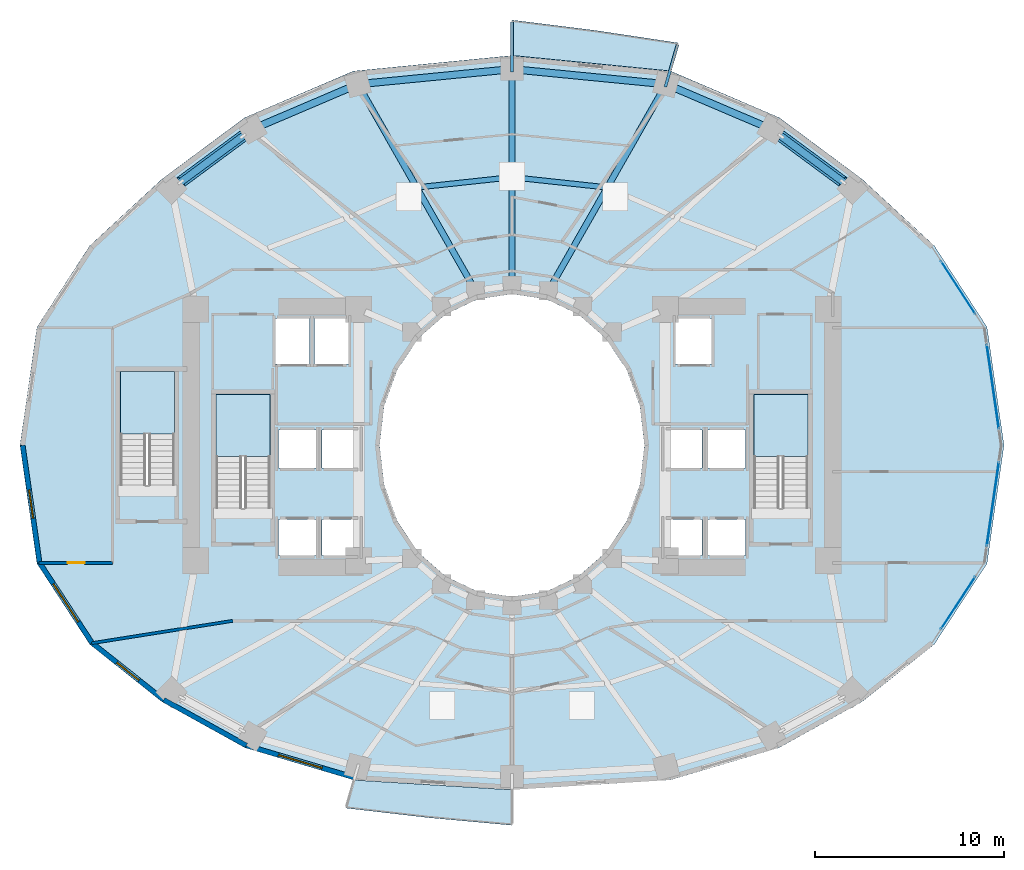
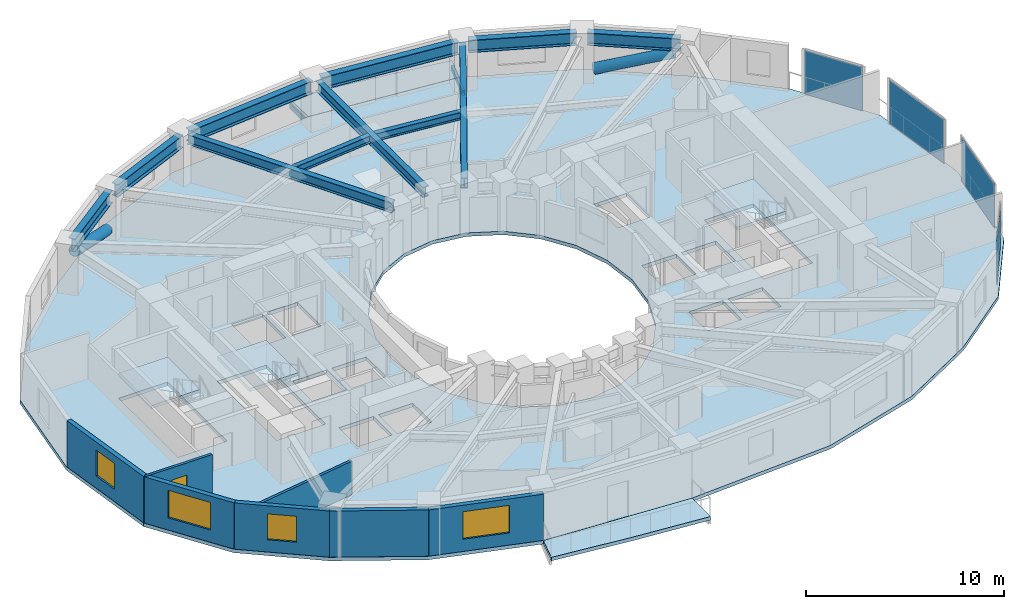
# One storey, part 6 of 14: 13 beams, 7 walls, 6 slabs, 4 plates, 4 windows, 2 members, 1 door, 5 openings, 7 elements without a shape of their own.
"""IFC4 building model written with IfcOpenShell, lengths in metres."""

from ifc_helpers import new_model, si_unit, direction, frame, frame_2d, origin, origin_2d, place, context, subcontext, project, spatial, polyline, rectangle, hollow_rectangle, hollow_circle, i_section, outline, extrude, material, layer, layer_set, material_profile, profile_set, type_object, element, fill, aggregate, save


model = new_model("IFC4")

# Units and contexts
model_context = context("Model", 3, precision=1e-05, world=origin(), true_north=direction((0.0, 1.0)))
body_context = subcontext(model_context, "Body", "Model", "MODEL_VIEW")
ifc_project = project(units=[si_unit("LENGTHUNIT", "METRE"), si_unit("AREAUNIT", "SQUARE_METRE"), si_unit("VOLUMEUNIT", "CUBIC_METRE"), si_unit("PLANEANGLEUNIT", "RADIAN"), si_unit("MASSUNIT", "GRAM", prefix="KILO")], contexts=[model_context])

# Site, building, storey
site_placement = place(None, origin())
site = spatial("IfcSite", under=ifc_project, at=site_placement, CompositionType="ELEMENT")
building_placement = place(site_placement, origin())
building = spatial("IfcBuilding", under=site, at=building_placement, Name="Solvane Sanctuary Tower", CompositionType="ELEMENT")
storey_placement = place(building_placement, frame((0.0, 0.0, 40.0)))
storey = spatial("IfcBuildingStorey", under=building, at=storey_placement, Name="L11", CompositionType="ELEMENT", Elevation=40.0)

# Beams
ifc_material_1 = material(Name="Steel ASTM A500 Grade C", Category="steel")
ifc_material_profile_1 = material_profile(ifc_material_1, hollow_rectangle(XDim=0.14990234375, YDim=0.300048828125, WallThickness=0.010009765625, at=origin_2d()), Name="HSS300X150X10")
ifc_profile_set_1 = profile_set([ifc_material_profile_1], Name="Steel ASTM A500 Grade C")
beam_type_1 = type_object("IfcBeamType", Name="Beam B-BALC-BRK HSS300X150X10", PredefinedType="BEAM", material=ifc_profile_set_1)
beam_1_placement = place(storey_placement, frame((40.103271484375, 41.939697265625, -0.3720703125), z_axis=(0.277479359198, 0.960731598949, 0.0), x_axis=(-0.960731598949, 0.277479359198, 0.0)))
element("IfcBeam", 1, at=beam_1_placement, inside=storey, type_object=beam_type_1, Name="L11 Balcony Bracket NC-1", PredefinedType="BEAM", context=body_context, shape_type="SweptSolid", body=[
    extrude(hollow_rectangle(XDim=0.14990234375, YDim=0.300048828125, WallThickness=0.010009765625, at=origin_2d()), origin(), (0.0, 0.0, 1.0), 2.325439453125),
])
beam_2_placement = place(storey_placement, frame((32.0, 42.72998046875, -0.3720703125), z_axis=(0.0, 1.0, 0.0), x_axis=(-1.0, 0.0, 0.0)))
element("IfcBeam", 2, at=beam_2_placement, inside=storey, type_object=beam_type_1, Name="L11 Balcony Bracket NC-2", PredefinedType="BEAM", context=body_context, shape_type="SweptSolid", body=[
    extrude(hollow_rectangle(XDim=0.14990234375, YDim=0.300048828125, WallThickness=0.010009765625, at=origin_2d()), origin(), (0.0, 0.0, 1.0), 2.64794921875),
])
ifc_material_2 = material(Name="Steel ASTM A992 Grade 50", Category="steel")
ifc_material_profile_2 = material_profile(ifc_material_2, i_section(OverallWidth=0.323974609375, OverallDepth=0.611083984375, WebThickness=0.0126953125, FlangeThickness=0.01904296875, FilletRadius=0.01611328125, at=origin_2d()), Name="W24X104")
ifc_profile_set_2 = profile_set([ifc_material_profile_2], Name="Steel ASTM A992 Grade 50")
beam_type_2 = type_object("IfcBeamType", Name="Beam B-RAD-Z1 W24X104", PredefinedType="BEAM", material=ifc_profile_set_2)
beam_3_placement = place(storey_placement, frame((34.0693359375, 31.4150390625, 2.572509765625), z_axis=(0.494862949167, 0.868971036078, 0.0), x_axis=(-0.868971036078, 0.494862949167, 0.0)))
element("IfcBeam", 3, at=beam_3_placement, inside=storey, type_object=beam_type_2, Name="L11 Radial Composite Floor Beam 03", PredefinedType="BEAM", context=body_context, shape_type="SweptSolid", body=[
    extrude(i_section(OverallWidth=0.323974609375, OverallDepth=0.611083984375, WebThickness=0.0126953125, FlangeThickness=0.01904296875, FilletRadius=0.01611328125, at=origin_2d()), origin(), (0.0, 0.0, 1.0), 11.997314453125),
])
beam_4_placement = place(storey_placement, frame((32.0, 31.739990234375, 2.572509765625), z_axis=(0.0, 1.0, 0.0), x_axis=(-1.0, 0.0, 0.0)))
element("IfcBeam", 4, at=beam_4_placement, inside=storey, type_object=beam_type_2, Name="L11 Radial Composite Floor Beam 04", PredefinedType="BEAM", context=body_context, shape_type="SweptSolid", body=[
    extrude(i_section(OverallWidth=0.323974609375, OverallDepth=0.611083984375, WebThickness=0.0126953125, FlangeThickness=0.01904296875, FilletRadius=0.01611328125, at=origin_2d()), origin(), (0.0, 0.0, 1.0), 10.860107421875),
])
beam_5_placement = place(storey_placement, frame((29.9306640625, 31.4150390625, 2.572509765625), z_axis=(-0.494862949167, 0.868971036078, 0.0), x_axis=(-0.868971036078, -0.494862949167, 0.0)))
element("IfcBeam", 5, at=beam_5_placement, inside=storey, type_object=beam_type_2, Name="L11 Radial Composite Floor Beam 05", PredefinedType="BEAM", context=body_context, shape_type="SweptSolid", body=[
    extrude(i_section(OverallWidth=0.323974609375, OverallDepth=0.611083984375, WebThickness=0.0126953125, FlangeThickness=0.01904296875, FilletRadius=0.01611328125, at=origin_2d()), origin(), (0.0, 0.0, 1.0), 11.997314453125),
])
ifc_material_profile_3 = material_profile(ifc_material_2, i_section(OverallWidth=0.280029296875, OverallDepth=0.462890625, WebThickness=0.0107421875, FlangeThickness=0.017333984375, FilletRadius=0.013916015625, at=origin_2d()), Name="W18X76")
ifc_profile_set_3 = profile_set([ifc_material_profile_3], Name="Steel ASTM A992 Grade 50")
beam_type_3 = type_object("IfcBeamType", Name="Beam B-SEC-JOIST W18X76", PredefinedType="JOIST", material=ifc_profile_set_3)
for number, where, z_axis, x_axis, name in (
    (6, (27.118408203125, 36.64453125, 2.646484375), (0.994253832067, 0.107048201386, 0.0), (-0.107048201386, 0.994253832067, 0.0), "L11 Secondary Circumferential Joist 05-04"),
    (7, (32.156005859375, 37.1533203125, 2.646484375), (0.994253832067, -0.107048201386, 0.0), (0.107048201386, 0.994253832067, 0.0), "L11 Secondary Circumferential Joist 04-03"),
):
    element("IfcBeam", number, at=place(storey_placement, frame(where, z_axis=z_axis, x_axis=x_axis)), inside=storey, type_object=beam_type_3, Name=name, PredefinedType="JOIST", context=body_context, shape_type="SweptSolid", body=[
        extrude(i_section(OverallWidth=0.280029296875, OverallDepth=0.462890625, WebThickness=0.0107421875, FlangeThickness=0.017333984375, FilletRadius=0.013916015625, at=origin_2d()), origin(), (0.0, 0.0, 1.0), 4.7529296875),
    ])
ifc_material_profile_4 = material_profile(ifc_material_2, i_section(OverallWidth=0.382080078125, OverallDepth=0.779052734375, WebThickness=0.01806640625, FlangeThickness=0.030029296875, FilletRadius=0.02001953125, at=origin_2d()), Name="W30X191")
ifc_profile_set_4 = profile_set([ifc_material_profile_4], Name="Steel ASTM A992 Grade 50")
beam_type_4 = type_object("IfcBeamType", Name="Beam B-SPAND-Z1 W30X191", PredefinedType="SPANDREL", material=ifc_profile_set_4)
beam_6_placement = place(storey_placement, frame((14.2333984375, 36.719970703125, 2.488525390625), z_axis=(0.804334467125, 0.594176796076, 0.0), x_axis=(-0.594176796076, 0.804334467125, 0.0)))
element("IfcBeam", 8, at=beam_6_placement, inside=storey, type_object=beam_type_4, Name="L11 Perimeter Spandrel Beam TC07-TC06", PredefinedType="SPANDREL", context=body_context, shape_type="SweptSolid", body=[
    extrude(i_section(OverallWidth=0.382080078125, OverallDepth=0.779052734375, WebThickness=0.01806640625, FlangeThickness=0.030029296875, FilletRadius=0.02001953125, at=origin_2d()), origin(), (0.0, 0.0, 1.0), 4.7421875),
])
beam_7_placement = place(storey_placement, frame((18.530517578125, 39.81396484375, 2.488525390625), z_axis=(0.919906751835, 0.392137179988, 0.0), x_axis=(-0.392137179988, 0.919906751835, 0.0)))
element("IfcBeam", 9, at=beam_7_placement, inside=storey, type_object=beam_type_4, Name="L11 Perimeter Spandrel Beam TC06-TC05", PredefinedType="SPANDREL", context=body_context, shape_type="SweptSolid", body=[
    extrude(i_section(OverallWidth=0.382080078125, OverallDepth=0.779052734375, WebThickness=0.01806640625, FlangeThickness=0.030029296875, FilletRadius=0.02001953125, at=origin_2d()), origin(), (0.0, 0.0, 1.0), 5.508056640625),
])
for number, where, z_axis, x_axis, name in (
    (10, (24.1337890625, 42.11083984375, 2.488525390625), (0.995252945064, 0.097322018793, 0.0), (-0.097322018793, 0.995252945064, 0.0), "L11 Perimeter Spandrel Beam TC05-TC04"),
    (11, (32.27880859375, 42.852783203125, 2.488525390625), (0.995252945064, -0.097322018793, 0.0), (0.097322018793, 0.995252945064, 0.0), "L11 Perimeter Spandrel Beam TC04-TC03"),
):
    element("IfcBeam", number, at=place(storey_placement, frame(where, z_axis=z_axis, x_axis=x_axis)), inside=storey, type_object=beam_type_4, Name=name, PredefinedType="SPANDREL", context=body_context, shape_type="SweptSolid", body=[
        extrude(i_section(OverallWidth=0.382080078125, OverallDepth=0.779052734375, WebThickness=0.01806640625, FlangeThickness=0.030029296875, FilletRadius=0.02001953125, at=origin_2d()), origin(), (0.0, 0.0, 1.0), 7.62353515625),
    ])
beam_8_placement = place(storey_placement, frame((40.402587890625, 41.973876953125, 2.488525390625), z_axis=(0.919906751835, -0.392137179988, 0.0), x_axis=(0.392137179988, 0.919906751835, 0.0)))
element("IfcBeam", 12, at=beam_8_placement, inside=storey, type_object=beam_type_4, Name="L11 Perimeter Spandrel Beam TC03-TC02", PredefinedType="SPANDREL", context=body_context, shape_type="SweptSolid", body=[
    extrude(i_section(OverallWidth=0.382080078125, OverallDepth=0.779052734375, WebThickness=0.01806640625, FlangeThickness=0.030029296875, FilletRadius=0.02001953125, at=origin_2d()), origin(), (0.0, 0.0, 1.0), 5.508056640625),
])
beam_9_placement = place(storey_placement, frame((45.952392578125, 39.53759765625, 2.488525390625), z_axis=(0.804334467125, -0.594176796076, 0.0), x_axis=(0.594176796076, 0.804334467125, 0.0)))
element("IfcBeam", 13, at=beam_9_placement, inside=storey, type_object=beam_type_4, Name="L11 Perimeter Spandrel Beam TC02-TC01", PredefinedType="SPANDREL", context=body_context, shape_type="SweptSolid", body=[
    extrude(i_section(OverallWidth=0.382080078125, OverallDepth=0.779052734375, WebThickness=0.01806640625, FlangeThickness=0.030029296875, FilletRadius=0.02001953125, at=origin_2d()), origin(), (0.0, 0.0, 1.0), 4.7421875),
])

# Members
ifc_material_profile_5 = material_profile(ifc_material_2, hollow_circle(Radius=0.304931640625, WallThickness=0.01611328125, at=origin_2d()), Name="CHS610X16")
ifc_profile_set_5 = profile_set([ifc_material_profile_5], Name="Steel ASTM A992 Grade 50")
member_type = type_object("IfcMemberType", Name="Member M-TUBE-Z1 CHS610X16", PredefinedType="BRACE", material=ifc_profile_set_5)
for number, where, z_axis, x_axis, name in (
    (14, (46.220458984375, 39.339599609375, 0.578857421875), (0.765137923591, -0.565199520065, 0.308404702302), (0.594161791503, 0.804345551065, 0.0), "L11 Perimeter Braced-Tube Diagonal NE"),
    (15, (17.779541015625, 39.339599609375, 0.578857421875), (-0.765137923591, -0.565199520065, 0.308404702302), (0.594161791503, -0.804345551065, 0.0), "L11 Perimeter Braced-Tube Diagonal NW"),
):
    element("IfcMember", number, at=place(storey_placement, frame(where, z_axis=z_axis, x_axis=x_axis)), inside=storey, type_object=member_type, Name=name, PredefinedType="BRACE", context=body_context, shape_type="SweptSolid", body=[
        extrude(hollow_circle(Radius=0.304931640625, WallThickness=0.01611328125, at=origin_2d()), origin(), (0.0, 0.0, 1.0), 4.281005859375),
    ])

# Curtain wall, plate
ifc_material_3 = material(Name="Anodised Aluminium 6063-T6", Category="aluminium")
ifc_layer_1 = layer(ifc_material_3, 0.2099609375, Name="Anodised Aluminium 6063-T6")
ifc_layer_set_1 = layer_set([ifc_layer_1], Name="Anodised Aluminium 6063-T6")
curtain_wall_type = type_object("IfcCurtainWallType", Name="Curtain Wall CW-PORTAL", PredefinedType="NOTDEFINED", material=ifc_layer_set_1)
curtain_wall_1_placement = place(storey_placement, origin())
curtain_wall_1 = element("IfcCurtainWall", 16, at=curtain_wall_1_placement, inside=storey, type_object=curtain_wall_type, Name="L11 CW-PORTAL Facade Run 00", PredefinedType="NOTDEFINED")
ifc_material_4 = material(Name="Dark Ceramic-Fritted Low-E Glass", Category="glass")
ifc_layer_2 = layer(ifc_material_4, 0.031982421875, Name="Dark Ceramic-Fritted Low-E Glass")
ifc_layer_set_2 = layer_set([ifc_layer_2], Name="Dark Ceramic-Fritted Low-E Glass")
plate_type = type_object("IfcPlateType", Name="Plate PN-FRIT-VIS", PredefinedType="CURTAIN_PANEL", material=ifc_layer_set_2)
plate_1_placement = place(storey_placement, frame((57.413330078125, 26.1025390625, 0.06494140625), z_axis=(0.0, 0.0, 1.0), x_axis=(-0.142503929979, 0.989794236162, 0.0)))
plate_1 = element("IfcPlate", 17, at=plate_1_placement, type_object=plate_type, Name="CW-PORTAL panel 1.1", PredefinedType="CURTAIN_PANEL", context=body_context, shape_type="SweptSolid", body=[
    extrude(rectangle(XDim=4.479248046875, YDim=0.031982421875, at=origin_2d()), origin(), (0.0, 0.0, 1.0), 2.7099609375),
])
aggregate(curtain_wall_1, [plate_1])

curtain_wall_2_placement = place(storey_placement, origin())
curtain_wall_2 = element("IfcCurtainWall", 18, at=curtain_wall_2_placement, inside=storey, type_object=curtain_wall_type, Name="L11 CW-PORTAL Facade Run 01", PredefinedType="NOTDEFINED")
plate_2_placement = place(storey_placement, frame((55.580078125, 31.34033203125, 0.06494140625), z_axis=(0.0, 0.0, 1.0), x_axis=(-0.544543243911, 0.838732767639, 0.0)))
plate_2 = element("IfcPlate", 19, at=plate_2_placement, type_object=plate_type, Name="CW-PORTAL panel 1.1", PredefinedType="CURTAIN_PANEL", context=body_context, shape_type="SweptSolid", body=[
    extrude(rectangle(XDim=3.301513671875, YDim=0.031982421875, at=origin_2d()), origin(), (0.0, 0.0, 1.0), 2.7099609375),
])
aggregate(curtain_wall_2, [plate_2])

curtain_wall_3_placement = place(storey_placement, origin())
curtain_wall_3 = element("IfcCurtainWall", 20, at=curtain_wall_3_placement, inside=storey, type_object=curtain_wall_type, Name="L11 CW-PORTAL Facade Run 22", PredefinedType="NOTDEFINED")
plate_3_placement = place(storey_placement, frame((55.580078125, 14.6767578125, 0.06494140625), z_axis=(0.0, 0.0, 1.0), x_axis=(0.547701943571, 0.836673521159, 0.0)))
plate_3 = element("IfcPlate", 21, at=plate_3_placement, type_object=plate_type, Name="CW-PORTAL panel 1.1", PredefinedType="CURTAIN_PANEL", context=body_context, shape_type="SweptSolid", body=[
    extrude(rectangle(XDim=3.2724609375, YDim=0.031982421875, at=origin_2d()), origin(), (0.0, 0.0, 1.0), 2.7099609375),
])
aggregate(curtain_wall_3, [plate_3])

curtain_wall_4_placement = place(storey_placement, origin())
curtain_wall_4 = element("IfcCurtainWall", 22, at=curtain_wall_4_placement, inside=storey, type_object=curtain_wall_type, Name="L11 CW-PORTAL Facade Run 23", PredefinedType="NOTDEFINED")
plate_4_placement = place(storey_placement, frame((57.413330078125, 19.8974609375, 0.06494140625), z_axis=(0.0, 0.0, 1.0), x_axis=(0.142503929979, 0.989794236162, 0.0)))
plate_4 = element("IfcPlate", 23, at=plate_4_placement, type_object=plate_type, Name="CW-PORTAL panel 1.1", PredefinedType="CURTAIN_PANEL", context=body_context, shape_type="SweptSolid", body=[
    extrude(rectangle(XDim=4.479248046875, YDim=0.031982421875, at=origin_2d()), origin(), (0.0, 0.0, 1.0), 2.7099609375),
])
aggregate(curtain_wall_4, [plate_4])

# Slabs
ifc_material_5 = material(Name="Precast concrete C40/50", Category="concrete")
ifc_layer_3 = layer(ifc_material_5, 0.219970703125, Name="Precast concrete C40/50")
ifc_layer_set_3 = layer_set([ifc_layer_3], Name="Precast concrete C40/50")
slab_type_1 = type_object("IfcSlabType", Name="Slab SL-BALC-200", PredefinedType="FLOOR", material=ifc_layer_set_3)
slab_1_placement = place(storey_placement, frame((0.0, 0.0, -0.219970703125)))
element("IfcSlab", 24, at=slab_1_placement, inside=storey, type_object=slab_type_1, Name="L11 Wave Balcony Slab NC", PredefinedType="FLOOR", context=body_context, shape_type="SweptSolid", body=[
    extrude(outline(polyline([(40.7763671875, 44.27001953125), (36.4169921875, 44.925537109375), (32.0, 45.47802734375), (32.00048828125, 43.60400390625), (40.377197265625, 42.782958984375), (40.7763671875, 44.27001953125)])), origin(), (0.0, 0.0, 1.0), 0.219970703125),
])
slab_2_placement = place(storey_placement, frame((0.0, 0.0, -0.219970703125)))
element("IfcSlab", 25, at=slab_2_placement, inside=storey, type_object=slab_type_1, Name="L11 Wave Balcony Slab SC", PredefinedType="FLOOR", context=body_context, shape_type="SweptSolid", body=[
    extrude(outline(polyline([(23.2236328125, 3.828369140625), (27.5830078125, 3.323486328125), (32.0, 2.922119140625), (31.999755859375, 4.7958984375), (23.623046875, 5.3154296875), (23.2236328125, 3.828369140625)])), origin(), (0.0, 0.0, 1.0), 0.219970703125),
])

# Stair, slab
ifc_material_6 = material(Name="Concrete C45/55", Category="concrete")
stair_type = type_object("IfcStairType", Name="Stair ST-TOW", PredefinedType="HALF_TURN_STAIR", material=ifc_material_6)
stair_1_placement = place(storey_placement, origin())
stair_1 = element("IfcStair", 26, at=stair_1_placement, inside=storey, type_object=stair_type, Name="L11 Exit Stair ST-1 West Core", PredefinedType="HALF_TURN_STAIR")
ifc_layer_4 = layer(ifc_material_6, 0.199951171875, Name="Concrete C45/55")
ifc_layer_set_4 = layer_set([ifc_layer_4], Name="Concrete C45/55")
slab_type_2 = type_object("IfcSlabType", Name="Slab SL-LAND-180", PredefinedType="LANDING", material=ifc_layer_set_4)
slab_3_placement = place(storey_placement, frame((0.0, 0.0, 1.35009765625)))
slab_3 = element("IfcSlab", 27, at=slab_3_placement, type_object=slab_type_2, Name="ST-1 landing 1", PredefinedType="LANDING", context=body_context, shape_type="SweptSolid", body=[
    extrude(outline(polyline([(19.219970703125, 22.39990234375), (19.219970703125, 25.699951171875), (16.360107421875, 25.699951171875), (16.360107421875, 22.39990234375), (19.219970703125, 22.39990234375)])), origin(), (0.0, 0.0, 1.0), 0.199951171875),
])
aggregate(stair_1, [slab_3])

stair_2_placement = place(storey_placement, origin())
stair_2 = element("IfcStair", 28, at=stair_2_placement, inside=storey, type_object=stair_type, Name="L11 Exit Stair ST-2 East Core", PredefinedType="HALF_TURN_STAIR")
slab_4_placement = place(storey_placement, frame((0.0, 0.0, 1.35009765625)))
slab_4 = element("IfcSlab", 29, at=slab_4_placement, type_object=slab_type_2, Name="ST-2 landing 1", PredefinedType="LANDING", context=body_context, shape_type="SweptSolid", body=[
    extrude(outline(polyline([(47.639892578125, 22.39990234375), (47.639892578125, 25.699951171875), (44.780029296875, 25.699951171875), (44.780029296875, 22.39990234375), (47.639892578125, 22.39990234375)])), origin(), (0.0, 0.0, 1.0), 0.199951171875),
])
aggregate(stair_2, [slab_4])

stair_3_placement = place(storey_placement, origin())
stair_3 = element("IfcStair", 30, at=stair_3_placement, inside=storey, type_object=stair_type, Name="L11 Exit Stair ST-3 Pilgrim Tower Stair", PredefinedType="HALF_TURN_STAIR")
slab_5_placement = place(storey_placement, frame((0.0, 0.0, 1.35009765625)))
slab_5 = element("IfcSlab", 31, at=slab_5_placement, type_object=slab_type_2, Name="ST-3 landing 1", PredefinedType="LANDING", context=body_context, shape_type="SweptSolid", body=[
    extrude(outline(polyline([(14.159912109375, 23.60009765625), (14.159912109375, 26.89990234375), (11.300048828125, 26.89990234375), (11.300048828125, 23.60009765625), (14.159912109375, 23.60009765625)])), origin(), (0.0, 0.0, 1.0), 0.199951171875),
])
aggregate(stair_3, [slab_5])

# Slab
ifc_layer_5 = layer(ifc_material_6, 0.219970703125, Name="Concrete C45/55")
ifc_layer_set_5 = layer_set([ifc_layer_5], Name="Concrete C45/55")
slab_type_3 = type_object("IfcSlabType", Name="Slab SL-TOW-220", PredefinedType="FLOOR", material=ifc_layer_set_5)
slab_6_placement = place(storey_placement, frame((0.0, 0.0, -0.219970703125)))
element("IfcSlab", 32, at=slab_6_placement, inside=storey, type_object=slab_type_3, Name="L11 Primary Structural Slab", PredefinedType="FLOOR", context=body_context, shape_type="SweptSolid", body=[
    extrude(outline(polyline([(58.0, 23.0), (57.101806640625, 29.25048828125), (54.31396484375, 33.5517578125), (50.504150390625, 37.066162109375), (46.1181640625, 40.322021484375), (40.376708984375, 42.77880859375), (32.0, 43.60009765625), (23.623291015625, 42.77880859375), (17.8818359375, 40.322021484375), (13.495849609375, 37.066162109375), (9.68603515625, 33.5517578125), (6.898193359375, 29.25048828125), (6.0, 23.0), (6.898193359375, 16.74951171875), (9.68603515625, 12.483154296875), (13.495849609375, 9.452392578125), (17.8818359375, 7.022705078125), (23.623291015625, 5.3193359375), (32.0, 4.800048828125), (40.376708984375, 5.3193359375), (46.1181640625, 7.022705078125), (50.504150390625, 9.452392578125), (54.31396484375, 12.483154296875), (57.101806640625, 16.74951171875), (58.0, 23.0)]), holes=[polyline([(38.761474609375, 20.929443359375), (38.062255859375, 19.0), (36.94970703125, 17.343017578125), (35.5, 16.07177734375), (33.811767578125, 15.272705078125), (32.0, 15.0), (30.188232421875, 15.272705078125), (28.5, 16.07177734375), (27.05029296875, 17.343017578125), (25.937744140625, 19.0), (25.238525390625, 20.929443359375), (25.0, 23.0), (25.238525390625, 25.070556640625), (25.937744140625, 27.0), (27.05029296875, 28.656982421875), (28.5, 29.92822265625), (30.188232421875, 30.727294921875), (32.0, 31.0), (33.811767578125, 30.727294921875), (35.5, 29.92822265625), (36.94970703125, 28.656982421875), (38.062255859375, 27.0), (38.761474609375, 25.070556640625), (39.0, 23.0), (38.761474609375, 20.929443359375)]), polyline([(16.360107421875, 19.699951171875), (16.360107421875, 25.699951171875), (19.219970703125, 25.699951171875), (19.219970703125, 19.699951171875), (16.360107421875, 19.699951171875)]), polyline([(44.780029296875, 19.699951171875), (44.780029296875, 25.699951171875), (47.639892578125, 25.699951171875), (47.639892578125, 19.699951171875), (44.780029296875, 19.699951171875)]), polyline([(11.300048828125, 20.89990234375), (11.300048828125, 26.89990234375), (14.159912109375, 26.89990234375), (14.159912109375, 20.89990234375), (11.300048828125, 20.89990234375)]), polyline([(19.64990234375, 19.080078125), (21.64990234375, 19.080078125), (21.64990234375, 17.179931640625), (19.64990234375, 17.179931640625), (19.64990234375, 19.080078125)]), polyline([(21.949951171875, 19.080078125), (23.949951171875, 19.080078125), (23.949951171875, 17.179931640625), (21.949951171875, 17.179931640625), (21.949951171875, 19.080078125)]), polyline([(40.050048828125, 19.080078125), (42.050048828125, 19.080078125), (42.050048828125, 17.179931640625), (40.050048828125, 17.179931640625), (40.050048828125, 19.080078125)]), polyline([(42.35009765625, 19.080078125), (44.35009765625, 19.080078125), (44.35009765625, 17.179931640625), (42.35009765625, 17.179931640625), (42.35009765625, 19.080078125)]), polyline([(19.64990234375, 23.800048828125), (21.64990234375, 23.800048828125), (21.64990234375, 21.800048828125), (19.64990234375, 21.800048828125), (19.64990234375, 23.800048828125)]), polyline([(42.35009765625, 23.800048828125), (44.35009765625, 23.800048828125), (44.35009765625, 21.800048828125), (42.35009765625, 21.800048828125), (42.35009765625, 23.800048828125)]), polyline([(21.949951171875, 23.800048828125), (23.949951171875, 23.800048828125), (23.949951171875, 21.800048828125), (21.949951171875, 21.800048828125), (21.949951171875, 23.800048828125)]), polyline([(40.050048828125, 23.800048828125), (42.050048828125, 23.800048828125), (42.050048828125, 21.800048828125), (40.050048828125, 21.800048828125), (40.050048828125, 23.800048828125)]), polyline([(19.5, 29.699951171875), (21.300048828125, 29.699951171875), (21.300048828125, 27.300048828125), (19.5, 27.300048828125), (19.5, 29.699951171875)]), polyline([(21.550048828125, 29.699951171875), (23.35009765625, 29.699951171875), (23.35009765625, 27.300048828125), (21.550048828125, 27.300048828125), (21.550048828125, 29.699951171875)]), polyline([(40.64990234375, 29.699951171875), (42.550048828125, 29.699951171875), (42.550048828125, 27.300048828125), (40.64990234375, 27.300048828125), (40.64990234375, 29.699951171875)])]), origin(), (0.0, 0.0, 1.0), 0.219970703125),
])

# Wall, opening, door
ifc_material_7 = material(Name="Acoustic Gypsum Partition Board")
ifc_layer_6 = layer(ifc_material_7, 0.14990234375, Name="Acoustic Gypsum Partition Board")
ifc_layer_set_6 = layer_set([ifc_layer_6], Name="Acoustic Gypsum Partition Board")
wall_type_1 = type_object("IfcWallType", Name="Wall W-CORR-150", PredefinedType="PARTITIONING", material=ifc_layer_set_6)
wall_1_placement = place(storey_placement, frame((7.013671875, 16.788330078125, 0.0), z_axis=(0.0, 0.0, 1.0), x_axis=(1.0, 0.0, 0.0)))
wall_1 = element("IfcWall", 33, at=wall_1_placement, inside=storey, type_object=wall_type_1, Name="L11 West Shoulder South Wall", PredefinedType="PARTITIONING", context=body_context, shape_type="SweptSolid", body=[
    extrude(rectangle(XDim=3.8662109375, YDim=0.14990234375, at=frame_2d((1.93310546875, 0.0))), origin(), (0.0, 0.0, 1.0), 2.85498046875),
])
opening_1_placement = place(wall_1_placement, frame((1.503173828125, 0.0, 0.0)))
opening_1 = element("IfcOpeningElement", 34, at=opening_1_placement, cuts=wall_1, Name="Opening D-L11-12", PredefinedType="OPENING", context=body_context, shape_type="SweptSolid", body=[
    extrude(rectangle(XDim=0.89990234375, YDim=2.10009765625, at=frame_2d((0.449951171875, 1.050048828125))), frame((0.0, 0.0849609375, 0.0), z_axis=(0.0, -1.0, 0.0), x_axis=(1.0, 0.0, 0.0)), (0.0, 0.0, 1.0), 0.169921875),
])
ifc_material_8 = material(Name="Engineered Tropical Hardwood", Category="wood")
door_type = type_object("IfcDoorType", Name="Door D-WET-900", OperationType="NOTDEFINED", PredefinedType="DOOR", material=ifc_material_8)
door_placement = place(opening_1_placement, origin())
door = element("IfcDoor", 35, at=door_placement, inside=storey, type_object=door_type, Name="L11 West Shoulder South Door", OperationType="SINGLE_SWING_RIGHT", OverallHeight=2.10009765625, OverallWidth=0.89990234375, PredefinedType="DOOR", context=body_context, shape_type="SweptSolid", body=[
    extrude(rectangle(XDim=0.89990234375, YDim=2.10009765625, at=frame_2d((0.449951171875, 1.050048828125))), frame((0.0, 0.02490234375, 0.0), z_axis=(0.0, -1.0, 0.0), x_axis=(1.0, 0.0, 0.0)), (0.0, 0.0, 1.0), 0.050048828125),
])
fill(opening_1, door)

# Wall
wall_2_placement = place(storey_placement, frame((17.24951171875, 13.727783203125, 0.0), z_axis=(0.0, 0.0, 1.0), x_axis=(-0.987655781226, -0.156639898525, 0.0)))
element("IfcWall", 36, at=wall_2_placement, inside=storey, type_object=wall_type_1, Name="L11 SW Corner Wing Wall", PredefinedType="PARTITIONING", context=body_context, shape_type="SweptSolid", body=[
    extrude(rectangle(XDim=7.551513671875, YDim=0.14990234375, at=frame_2d((3.77587890625, 0.0))), origin(), (0.0, 0.0, 1.0), 2.069091796875),
])

# Wall, opening, window
ifc_layer_7 = layer(ifc_material_5, 0.260009765625, Name="Precast concrete C40/50")
ifc_layer_set_7 = layer_set([ifc_layer_7], Name="Precast concrete C40/50")
wall_type_2 = type_object("IfcWallType", Name="Wall W-EXT-250", PredefinedType="STANDARD", material=ifc_layer_set_7)
wall_3_placement = place(storey_placement, frame((6.139892578125, 23.0, 0.0), z_axis=(0.0, 0.0, 1.0), x_axis=(0.142528001686, -0.989790770181, 0.0)))
wall_3 = element("IfcWall", 37, at=wall_3_placement, inside=storey, type_object=wall_type_2, Name="L11 Ceramic-Printed Facade Wall 12", PredefinedType="STANDARD", context=body_context, shape_type="SweptSolid", body=[
    extrude(rectangle(XDim=6.269287109375, YDim=0.260009765625, at=frame_2d((3.134765625, 0.0))), origin(), (0.0, 0.0, 1.0), 2.85009765625),
])
opening_2_placement = place(wall_3_placement, frame((2.384521484375, 0.0, 0.75)))
opening_2 = element("IfcOpeningElement", 38, at=opening_2_placement, cuts=wall_3, Name="Opening WN-OPER-1500", PredefinedType="OPENING", context=body_context, shape_type="SweptSolid", body=[
    extrude(rectangle(XDim=1.5, YDim=1.60009765625, at=frame_2d((0.75, 0.800048828125))), frame((0.0, 0.139892578125, 0.0), z_axis=(0.0, -1.0, 0.0), x_axis=(1.0, 0.0, 0.0)), (0.0, 0.0, 1.0), 0.280029296875),
])
window_type_1 = type_object("IfcWindowType", Name="Window WN-OPER-1500", PartitioningType="SINGLE_PANEL", PredefinedType="WINDOW", material=ifc_material_4)
window_1_placement = place(opening_2_placement, origin())
window_1 = element("IfcWindow", 39, at=window_1_placement, inside=storey, type_object=window_type_1, Name="L11 Operable Facade Window 12", OverallHeight=1.60009765625, OverallWidth=1.5, PartitioningType="SINGLE_PANEL", PredefinedType="WINDOW", context=body_context, shape_type="SweptSolid", body=[
    extrude(rectangle(XDim=1.5, YDim=1.60009765625, at=frame_2d((0.75, 0.800048828125))), frame((0.0, 0.030029296875, 0.0), z_axis=(0.0, -1.0, 0.0), x_axis=(1.0, 0.0, 0.0)), (0.0, 0.0, 1.0), 0.06005859375),
])
fill(opening_2, window_1)

wall_4_placement = place(storey_placement, frame((7.033447265625, 16.794677734375, 0.0), z_axis=(0.0, 0.0, 1.0), x_axis=(0.547702757047, -0.836672988642, 0.0)))
wall_4 = element("IfcWall", 40, at=wall_4_placement, inside=storey, type_object=wall_type_2, Name="L11 Ceramic-Printed Facade Wall 13", PredefinedType="STANDARD", context=body_context, shape_type="SweptSolid", body=[
    extrude(rectangle(XDim=5.0625, YDim=0.260009765625, at=frame_2d((2.53125, 0.0))), origin(), (0.0, 0.0, 1.0), 2.85009765625),
])
opening_3_placement = place(wall_4_placement, frame((1.331298828125, 0.0, 0.75)))
opening_3 = element("IfcOpeningElement", 41, at=opening_3_placement, cuts=wall_4, Name="Opening WN-RIB-2400", PredefinedType="OPENING", context=body_context, shape_type="SweptSolid", body=[
    extrude(rectangle(XDim=2.39990234375, YDim=1.699951171875, at=frame_2d((1.199951171875, 0.85009765625))), frame((0.0, 0.139892578125, 0.0), z_axis=(0.0, -1.0, 0.0), x_axis=(1.0, 0.0, 0.0)), (0.0, 0.0, 1.0), 0.280029296875),
])
window_type_2 = type_object("IfcWindowType", Name="Window WN-RIB-2400", PartitioningType="SINGLE_PANEL", PredefinedType="WINDOW", material=ifc_material_4)
window_2_placement = place(opening_3_placement, origin())
window_2 = element("IfcWindow", 42, at=window_2_placement, inside=storey, type_object=window_type_2, Name="L11 Operable Facade Window 13", OverallHeight=1.699951171875, OverallWidth=2.39990234375, PartitioningType="SINGLE_PANEL", PredefinedType="WINDOW", context=body_context, shape_type="SweptSolid", body=[
    extrude(rectangle(XDim=2.39990234375, YDim=1.699951171875, at=frame_2d((1.199951171875, 0.85009765625))), frame((0.0, 0.030029296875, 0.0), z_axis=(0.0, -1.0, 0.0), x_axis=(1.0, 0.0, 0.0)), (0.0, 0.0, 1.0), 0.06005859375),
])
fill(opening_3, window_2)

wall_5_placement = place(storey_placement, frame((9.80615234375, 12.55908203125, 0.0), z_axis=(0.0, 0.0, 1.0), x_axis=(0.783123133379, -0.621866672179, 0.0)))
wall_5 = element("IfcWall", 43, at=wall_5_placement, inside=storey, type_object=wall_type_2, Name="L11 Ceramic-Printed Facade Wall 14", PredefinedType="STANDARD", context=body_context, shape_type="SweptSolid", body=[
    extrude(rectangle(XDim=4.838623046875, YDim=0.260009765625, at=frame_2d((2.41943359375, 0.0))), origin(), (0.0, 0.0, 1.0), 2.85009765625),
])
opening_4_placement = place(wall_5_placement, frame((1.669189453125, 0.0, 0.75)))
opening_4 = element("IfcOpeningElement", 44, at=opening_4_placement, cuts=wall_5, Name="Opening WN-OPER-1500", PredefinedType="OPENING", context=body_context, shape_type="SweptSolid", body=[
    extrude(rectangle(XDim=1.5, YDim=1.60009765625, at=frame_2d((0.75, 0.800048828125))), frame((0.0, 0.139892578125, 0.0), z_axis=(0.0, -1.0, 0.0), x_axis=(1.0, 0.0, 0.0)), (0.0, 0.0, 1.0), 0.280029296875),
])
window_3_placement = place(opening_4_placement, origin())
window_3 = element("IfcWindow", 45, at=window_3_placement, inside=storey, type_object=window_type_1, Name="L11 Operable Facade Window 14", OverallHeight=1.60009765625, OverallWidth=1.5, PartitioningType="SINGLE_PANEL", PredefinedType="WINDOW", context=body_context, shape_type="SweptSolid", body=[
    extrude(rectangle(XDim=1.5, YDim=1.60009765625, at=frame_2d((0.75, 0.800048828125))), frame((0.0, 0.030029296875, 0.0), z_axis=(0.0, -1.0, 0.0), x_axis=(1.0, 0.0, 0.0)), (0.0, 0.0, 1.0), 0.06005859375),
])
fill(opening_4, window_3)

# Wall
wall_6_placement = place(storey_placement, frame((13.595458984375, 9.550048828125, 0.0), z_axis=(0.0, 0.0, 1.0), x_axis=(0.875137303239, -0.483874674352, 0.0)))
element("IfcWall", 46, at=wall_6_placement, inside=storey, type_object=wall_type_2, Name="L11 Ceramic-Printed Facade Wall 15", PredefinedType="STANDARD", context=body_context, shape_type="SweptSolid", body=[
    extrude(rectangle(XDim=4.985107421875, YDim=0.260009765625, at=frame_2d((2.49267578125, 0.0))), origin(), (0.0, 0.0, 1.0), 2.85009765625),
])

# Wall, opening, window
wall_7_placement = place(storey_placement, frame((17.9580078125, 7.137939453125, 0.0), z_axis=(0.0, 0.0, 1.0), x_axis=(0.958843593522, -0.283934786811, 0.0)))
wall_7 = element("IfcWall", 47, at=wall_7_placement, inside=storey, type_object=wall_type_2, Name="L11 Ceramic-Printed Facade Wall 16", PredefinedType="STANDARD", context=body_context, shape_type="SweptSolid", body=[
    extrude(rectangle(XDim=5.955322265625, YDim=0.260009765625, at=frame_2d((2.9775390625, 0.0))), origin(), (0.0, 0.0, 1.0), 2.85009765625),
])
opening_5_placement = place(wall_7_placement, frame((1.777587890625, 0.0, 0.75)))
opening_5 = element("IfcOpeningElement", 48, at=opening_5_placement, cuts=wall_7, Name="Opening WN-RIB-2400", PredefinedType="OPENING", context=body_context, shape_type="SweptSolid", body=[
    extrude(rectangle(XDim=2.39990234375, YDim=1.699951171875, at=frame_2d((1.199951171875, 0.85009765625))), frame((0.0, 0.139892578125, 0.0), z_axis=(0.0, -1.0, 0.0), x_axis=(1.0, 0.0, 0.0)), (0.0, 0.0, 1.0), 0.280029296875),
])
window_4_placement = place(opening_5_placement, origin())
window_4 = element("IfcWindow", 49, at=window_4_placement, inside=storey, type_object=window_type_2, Name="L11 Operable Facade Window 16", OverallHeight=1.699951171875, OverallWidth=2.39990234375, PartitioningType="SINGLE_PANEL", PredefinedType="WINDOW", context=body_context, shape_type="SweptSolid", body=[
    extrude(rectangle(XDim=2.39990234375, YDim=1.699951171875, at=frame_2d((1.199951171875, 0.85009765625))), frame((0.0, 0.030029296875, 0.0), z_axis=(0.0, -1.0, 0.0), x_axis=(1.0, 0.0, 0.0)), (0.0, 0.0, 1.0), 0.06005859375),
])
fill(opening_5, window_4)

save(model, "model.ifc")
